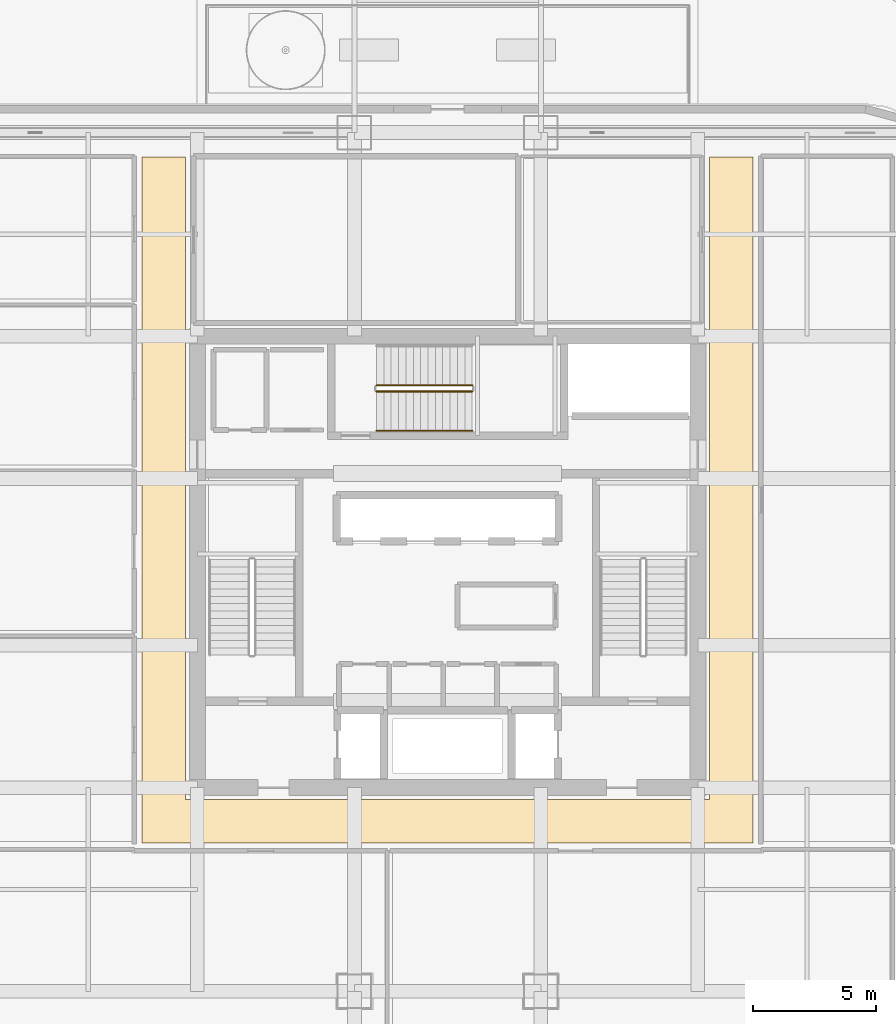
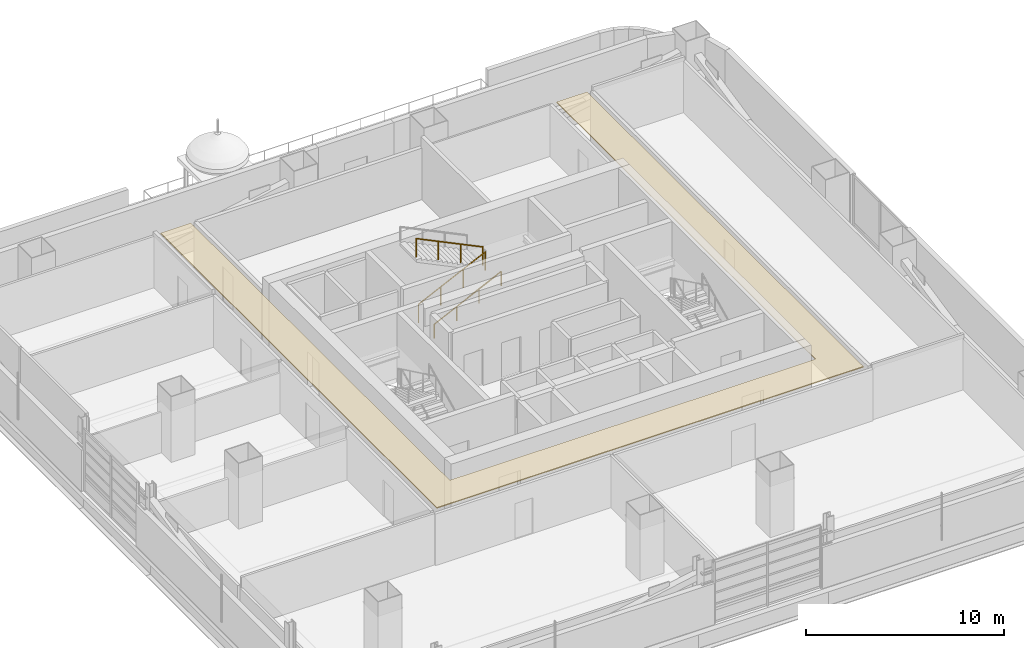
# One storey, part 21 of 29: 3 railings, 1 covering.
"""IFC4 building model written with IfcOpenShell, lengths in metres."""

from ifc_helpers import new_model, si_unit, direction, frame, origin, origin_2d, place, context, subcontext, project, spatial, polyline, circle, outline, extrude, material, layer, layer_set, type_object, element, save


model = new_model("IFC4")

# Units and contexts
model_context = context("Model", 3, precision=1e-05, world=origin(), true_north=direction((0.0, 1.0)))
body_context = subcontext(model_context, "Body", "Model", "MODEL_VIEW")
ifc_project = project(units=[si_unit("LENGTHUNIT", "METRE"), si_unit("AREAUNIT", "SQUARE_METRE"), si_unit("VOLUMEUNIT", "CUBIC_METRE"), si_unit("PLANEANGLEUNIT", "RADIAN"), si_unit("MASSUNIT", "GRAM", prefix="KILO")], contexts=[model_context])

# Site, building, storey
site_placement = place(None, origin())
site = spatial("IfcSite", under=ifc_project, at=site_placement, CompositionType="ELEMENT")
building_placement = place(site_placement, origin())
building = spatial("IfcBuilding", under=site, at=building_placement, Name="Punatoya Terracotta Tower", CompositionType="ELEMENT")
storey_placement = place(building_placement, frame((0.0, 0.0, 172.199951171875)))
storey = spatial("IfcBuildingStorey", under=building, at=storey_placement, Name="L40", CompositionType="ELEMENT", Elevation=172.199951171875)

# Covering
ifc_material_1 = material(Name="Acoustic Mineral Fibre Ceiling")
ifc_layer = layer(ifc_material_1, 0.06005859375)
ifc_layer_set = layer_set([ifc_layer], Name="Acoustic Mineral Fibre Ceiling")
covering_type = type_object("IfcCoveringType", Name="COV-CEIL-60", PredefinedType="CEILING", material=ifc_layer_set)
covering_placement = place(storey_placement, frame((0.0, 0.0, 3.16015625)))
element("IfcCovering", 1, at=covering_placement, inside=storey, type_object=covering_type, Name="L40 Central Spine Circulation Corridor Acoustic Ceiling", PredefinedType="CEILING", context=body_context, shape_type="SweptSolid", body=[
    extrude(outline(polyline([(10.679931640625, -9.679931640625), (-10.679931640625, -9.679931640625), (-10.679931640625, 16.5), (-12.449951171875, 16.5), (-12.449951171875, -11.449951171875), (12.449951171875, -11.449951171875), (12.449951171875, 16.5), (10.679931640625, 16.5), (10.679931640625, -9.679931640625)])), origin(), (0.0, 0.0, 1.0), 0.059814453125),
])

# Railings
ifc_material_2 = material(Name="Steel S355", Category="steel")
railing_type_1 = type_object("IfcRailingType", Name="RLG-GRD-1150", PredefinedType="GUARDRAIL", material=ifc_material_2)
railing_1_placement = place(storey_placement, frame((-2.89990234375, 6.949951171875, 0.144775390625)))
element("IfcRailing", 2, at=railing_1_placement, inside=storey, type_object=railing_type_1, Name="L40 ST-3 stair guard 1", PredefinedType="GUARDRAIL", context=body_context, shape_type="SweptSolid", body=[
    extrude(circle(Radius=0.02392578125, at=origin_2d()), frame((0.0, 0.0, 1.1259765625), z_axis=(0.900763166376, 0.0, 0.434310623978), x_axis=(0.0, 1.0, 0.0)), (0.0, 0.0, 1.0), 4.32958984375),
    extrude(circle(Radius=0.02099609375, at=origin_2d()), origin(), (0.0, 0.0, 1.0), 1.101806640625),
    extrude(circle(Radius=0.02099609375, at=origin_2d()), frame((1.300048828125, 0.0, 0.626708984375)), (0.0, 0.0, 1.0), 1.101806640625),
    extrude(circle(Radius=0.02099609375, at=origin_2d()), frame((2.599853515625, 0.0, 1.253662109375)), (0.0, 0.0, 1.0), 1.101806640625),
    extrude(circle(Radius=0.02099609375, at=origin_2d()), frame((3.89990234375, 0.0, 1.88037109375)), (0.0, 0.0, 1.0), 1.101806640625),
])
railing_2_placement = place(storey_placement, frame((1.0, 7.199951171875, 2.169677734375)))
element("IfcRailing", 3, at=railing_2_placement, inside=storey, type_object=railing_type_1, Name="L40 ST-3 stair guard 3", PredefinedType="GUARDRAIL", context=body_context, shape_type="SweptSolid", body=[
    extrude(circle(Radius=0.02392578125, at=origin_2d()), frame((0.0, 0.0, 1.1259765625), z_axis=(-0.900763166376, 0.0, 0.434310623978), x_axis=(0.0, -1.0, 0.0)), (0.0, 0.0, 1.0), 4.32958984375),
    extrude(circle(Radius=0.02099609375, at=origin_2d()), origin(), (0.0, 0.0, 1.0), 1.101806640625),
    extrude(circle(Radius=0.02099609375, at=origin_2d()), frame((-1.300048828125, 0.0, 0.626708984375)), (0.0, 0.0, 1.0), 1.101806640625),
    extrude(circle(Radius=0.02099609375, at=origin_2d()), frame((-2.599853515625, 0.0, 1.253662109375)), (0.0, 0.0, 1.0), 1.101806640625),
    extrude(circle(Radius=0.02099609375, at=origin_2d()), frame((-3.89990234375, 0.0, 1.88037109375)), (0.0, 0.0, 1.0), 1.101806640625),
])
railing_type_2 = type_object("IfcRailingType", Name="RLG-HND-900", PredefinedType="HANDRAIL", material=ifc_material_2)
railing_3_placement = place(storey_placement, frame((-2.89990234375, 5.35009765625, 0.144775390625)))
element("IfcRailing", 4, at=railing_3_placement, inside=storey, type_object=railing_type_2, Name="L40 ST-3 stair handrail 1", PredefinedType="HANDRAIL", context=body_context, shape_type="SweptSolid", body=[
    extrude(circle(Radius=0.02392578125, at=origin_2d()), frame((0.0, 0.0, 0.8759765625), z_axis=(0.900763166376, 0.0, 0.434310623978), x_axis=(0.0, 1.0, 0.0)), (0.0, 0.0, 1.0), 4.32958984375),
    extrude(circle(Radius=0.02099609375, at=origin_2d()), origin(), (0.0, 0.0, 1.0), 0.851806640625),
    extrude(circle(Radius=0.02099609375, at=origin_2d()), frame((1.300048828125, 0.0, 0.626708984375)), (0.0, 0.0, 1.0), 0.851806640625),
    extrude(circle(Radius=0.02099609375, at=origin_2d()), frame((2.599853515625, 0.0, 1.253662109375)), (0.0, 0.0, 1.0), 0.851806640625),
    extrude(circle(Radius=0.02099609375, at=origin_2d()), frame((3.89990234375, 0.0, 1.88037109375)), (0.0, 0.0, 1.0), 0.851806640625),
])

save(model, "model.ifc")
